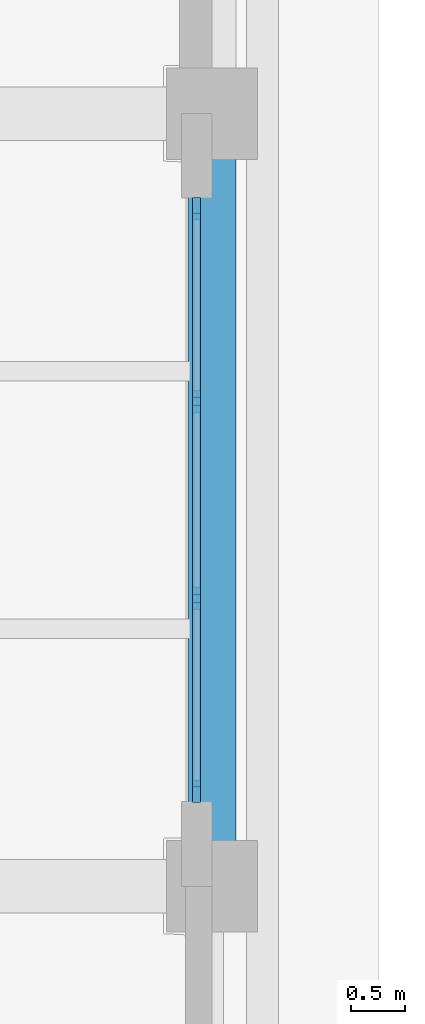
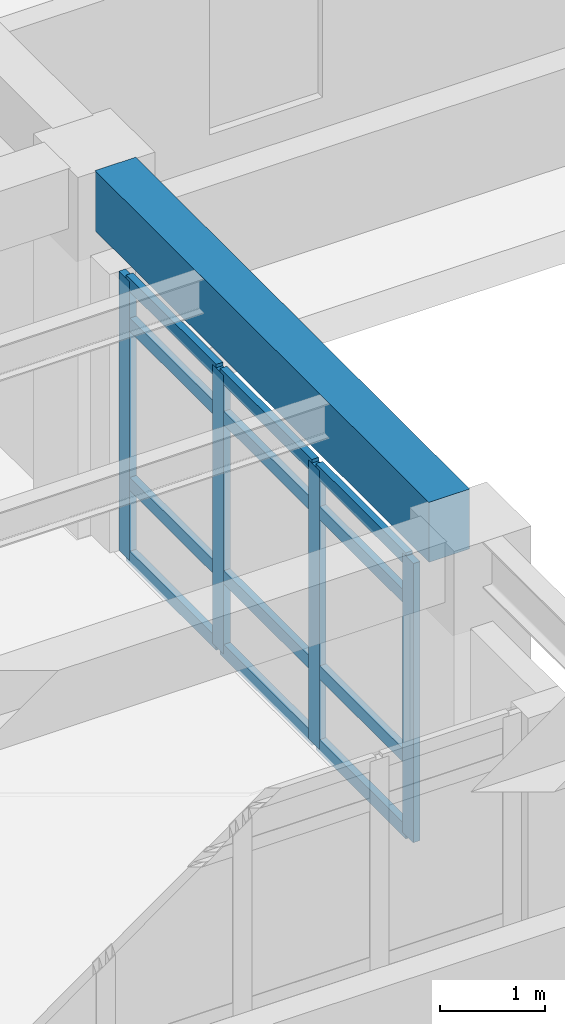
# One storey, part 42 of 98: 16 members, 1 beam, 1 element without a shape of its own.
"""IFC4 building model written with IfcOpenShell, lengths in metres."""

from ifc_helpers import new_model, si_unit, direction, frame, origin, origin_2d, place, context, subcontext, project, spatial, rectangle, extrude, material, layer, layer_set, material_profile, profile_set, type_object, element, aggregate, save


model = new_model("IFC4")

# Units and contexts
model_context = context("Model", 3, precision=1e-05, world=origin(), true_north=direction((0.0, 1.0)))
body_context = subcontext(model_context, "Body", "Model", "MODEL_VIEW")
ifc_project = project(units=[si_unit("LENGTHUNIT", "METRE"), si_unit("AREAUNIT", "SQUARE_METRE"), si_unit("VOLUMEUNIT", "CUBIC_METRE"), si_unit("PLANEANGLEUNIT", "RADIAN"), si_unit("MASSUNIT", "GRAM", prefix="KILO")], contexts=[model_context])

# Site, building, storey
site_placement = place(None, origin())
site = spatial("IfcSite", under=ifc_project, at=site_placement, CompositionType="ELEMENT")
building_placement = place(site_placement, origin())
building = spatial("IfcBuilding", under=site, at=building_placement, Name="Solenvale Faculty of Natural Sciences", CompositionType="ELEMENT")
storey_placement = place(building_placement, frame((0.0, 0.0, 9.0)))
storey = spatial("IfcBuildingStorey", under=building, at=storey_placement, Name="L02", CompositionType="ELEMENT", Elevation=9.0)

# Beam
ifc_material_1 = material(Name="Concrete 40 MPa", Category="concrete")
ifc_material_profile_1 = material_profile(ifc_material_1, rectangle(XDim=0.449951171875, YDim=0.699951171875, at=origin_2d()), Name="RC-BM-450x700")
ifc_profile_set_1 = profile_set([ifc_material_profile_1], Name="Concrete 40 MPa")
beam_type = type_object("IfcBeamType", Name="BM-RC-450x700", PredefinedType="BEAM", material=ifc_profile_set_1)
beam_placement = place(storey_placement, frame((115.199951171875, 22.0048828125, 3.8701171875), z_axis=(0.0, 1.0, 0.0), x_axis=(-1.0, 0.0, 0.0)))
element("IfcBeam", 1, at=beam_placement, inside=storey, type_object=beam_type, Name="L02 Y-Girder X115.2 (21.6..28.8)", PredefinedType="BEAM", context=body_context, shape_type="SweptSolid", body=[
    extrude(rectangle(XDim=0.449951171875, YDim=0.699951171875, at=origin_2d()), origin(), (0.0, 0.0, 1.0), 6.39013671875),
])

# Curtain wall, members
ifc_material_2 = material(Name="Anodised bronze aluminium", Category="aluminium")
ifc_layer = layer(ifc_material_2, 0.179931640625)
ifc_layer_set = layer_set([ifc_layer], Name="Anodised bronze aluminium")
curtain_wall_type = type_object("IfcCurtainWallType", Name="CW-TWR-MOD", PredefinedType="USERDEFINED", material=ifc_layer_set)
curtain_wall_placement = place(storey_placement, origin())
curtain_wall = element("IfcCurtainWall", 2, at=curtain_wall_placement, inside=storey, type_object=curtain_wall_type, Name="L02 Curtain Wall CW-L02-P1-E1-B2", ObjectType="UNITISED CURTAIN WALL", PredefinedType="USERDEFINED")
ifc_material_profile_2 = material_profile(ifc_material_2, rectangle(XDim=0.074951171875, YDim=0.2099609375, at=origin_2d()), Name="ALU-MUL-75x210")
ifc_profile_set_2 = profile_set([ifc_material_profile_2], Name="Anodised bronze aluminium")
member_type_1 = type_object("IfcMemberType", Name="CWM-ALU-75x210", PredefinedType="MULLION", material=ifc_profile_set_2)
member_1_placement = place(storey_placement, frame((115.0576171875, 22.487548828125, 0.0), z_axis=(0.0, 0.0, 1.0), x_axis=(-1.0, 0.0, 0.0)))
member_1 = element("IfcMember", 3, at=member_1_placement, type_object=member_type_1, Name="CW-04 mullion 1", PredefinedType="MULLION", context=body_context, shape_type="SweptSolid", body=[
    extrude(rectangle(XDim=0.074951171875, YDim=0.2099609375, at=origin_2d()), origin(), (0.0, 0.0, 1.0), 3.260009765625),
])
member_2_placement = place(storey_placement, frame((115.0576171875, 24.283447265625, 0.0), z_axis=(0.0, 0.0, 1.0), x_axis=(-1.0, 0.0, 0.0)))
member_2 = element("IfcMember", 4, at=member_2_placement, type_object=member_type_1, Name="CW-04 mullion 2", PredefinedType="MULLION", context=body_context, shape_type="SweptSolid", body=[
    extrude(rectangle(XDim=0.074951171875, YDim=0.2099609375, at=origin_2d()), origin(), (0.0, 0.0, 1.0), 3.260009765625),
])
member_3_placement = place(storey_placement, frame((115.0576171875, 26.11669921875, 0.0), z_axis=(0.0, 0.0, 1.0), x_axis=(-1.0, 0.0, 0.0)))
member_3 = element("IfcMember", 5, at=member_3_placement, type_object=member_type_1, Name="CW-04 mullion 3", PredefinedType="MULLION", context=body_context, shape_type="SweptSolid", body=[
    extrude(rectangle(XDim=0.074951171875, YDim=0.2099609375, at=origin_2d()), origin(), (0.0, 0.0, 1.0), 3.260009765625),
])
member_4_placement = place(storey_placement, frame((115.0576171875, 27.91259765625, 0.0), z_axis=(0.0, 0.0, 1.0), x_axis=(-1.0, 0.0, 0.0)))
member_4 = element("IfcMember", 6, at=member_4_placement, type_object=member_type_1, Name="CW-04 mullion 4", PredefinedType="MULLION", context=body_context, shape_type="SweptSolid", body=[
    extrude(rectangle(XDim=0.074951171875, YDim=0.2099609375, at=origin_2d()), origin(), (0.0, 0.0, 1.0), 3.260009765625),
])
ifc_material_profile_3 = material_profile(ifc_material_2, rectangle(XDim=0.074951171875, YDim=0.155029296875, at=origin_2d()), Name="ALU-TRN-75x155")
ifc_profile_set_3 = profile_set([ifc_material_profile_3], Name="Anodised bronze aluminium")
member_type_2 = type_object("IfcMemberType", Name="CWT-ALU-75x155", PredefinedType="USERDEFINED", material=ifc_profile_set_3)
member_5_placement = place(storey_placement, frame((115.0576171875, 22.52490234375, 0.03759765625), z_axis=(0.0, 1.0, 0.0), x_axis=(-1.0, 0.0, 0.0)))
member_5 = element("IfcMember", 7, at=member_5_placement, type_object=member_type_2, Name="CW-04 transom 1.1", ObjectType="TRANSOM", PredefinedType="USERDEFINED", context=body_context, shape_type="SweptSolid", body=[
    extrude(rectangle(XDim=0.074951171875, YDim=0.155029296875, at=origin_2d()), origin(), (0.0, 0.0, 1.0), 1.720947265625),
])
member_6_placement = place(storey_placement, frame((115.0576171875, 22.52490234375, 0.89990234375), z_axis=(0.0, 1.0, 0.0), x_axis=(-1.0, 0.0, 0.0)))
member_6 = element("IfcMember", 8, at=member_6_placement, type_object=member_type_2, Name="CW-04 transom 1.2", ObjectType="TRANSOM", PredefinedType="USERDEFINED", context=body_context, shape_type="SweptSolid", body=[
    extrude(rectangle(XDim=0.074951171875, YDim=0.155029296875, at=origin_2d()), origin(), (0.0, 0.0, 1.0), 1.720947265625),
])
member_7_placement = place(storey_placement, frame((115.0576171875, 22.52490234375, 2.760009765625), z_axis=(0.0, 1.0, 0.0), x_axis=(-1.0, 0.0, 0.0)))
member_7 = element("IfcMember", 9, at=member_7_placement, type_object=member_type_2, Name="CW-04 transom 1.3", ObjectType="TRANSOM", PredefinedType="USERDEFINED", context=body_context, shape_type="SweptSolid", body=[
    extrude(rectangle(XDim=0.074951171875, YDim=0.155029296875, at=origin_2d()), origin(), (0.0, 0.0, 1.0), 1.720947265625),
])
member_8_placement = place(storey_placement, frame((115.0576171875, 22.52490234375, 3.222412109375), z_axis=(0.0, 1.0, 0.0), x_axis=(-1.0, 0.0, 0.0)))
member_8 = element("IfcMember", 10, at=member_8_placement, type_object=member_type_2, Name="CW-04 transom 1.4", ObjectType="TRANSOM", PredefinedType="USERDEFINED", context=body_context, shape_type="SweptSolid", body=[
    extrude(rectangle(XDim=0.074951171875, YDim=0.155029296875, at=origin_2d()), origin(), (0.0, 0.0, 1.0), 1.720947265625),
])
member_9_placement = place(storey_placement, frame((115.0576171875, 24.32080078125, 0.03759765625), z_axis=(0.0, 1.0, 0.0), x_axis=(-1.0, 0.0, 0.0)))
member_9 = element("IfcMember", 11, at=member_9_placement, type_object=member_type_2, Name="CW-04 transom 2.1", ObjectType="TRANSOM", PredefinedType="USERDEFINED", context=body_context, shape_type="SweptSolid", body=[
    extrude(rectangle(XDim=0.074951171875, YDim=0.155029296875, at=origin_2d()), origin(), (0.0, 0.0, 1.0), 1.75830078125),
])
member_10_placement = place(storey_placement, frame((115.0576171875, 24.32080078125, 0.89990234375), z_axis=(0.0, 1.0, 0.0), x_axis=(-1.0, 0.0, 0.0)))
member_10 = element("IfcMember", 12, at=member_10_placement, type_object=member_type_2, Name="CW-04 transom 2.2", ObjectType="TRANSOM", PredefinedType="USERDEFINED", context=body_context, shape_type="SweptSolid", body=[
    extrude(rectangle(XDim=0.074951171875, YDim=0.155029296875, at=origin_2d()), origin(), (0.0, 0.0, 1.0), 1.75830078125),
])
member_11_placement = place(storey_placement, frame((115.0576171875, 24.32080078125, 2.760009765625), z_axis=(0.0, 1.0, 0.0), x_axis=(-1.0, 0.0, 0.0)))
member_11 = element("IfcMember", 13, at=member_11_placement, type_object=member_type_2, Name="CW-04 transom 2.3", ObjectType="TRANSOM", PredefinedType="USERDEFINED", context=body_context, shape_type="SweptSolid", body=[
    extrude(rectangle(XDim=0.074951171875, YDim=0.155029296875, at=origin_2d()), origin(), (0.0, 0.0, 1.0), 1.75830078125),
])
member_12_placement = place(storey_placement, frame((115.0576171875, 24.32080078125, 3.222412109375), z_axis=(0.0, 1.0, 0.0), x_axis=(-1.0, 0.0, 0.0)))
member_12 = element("IfcMember", 14, at=member_12_placement, type_object=member_type_2, Name="CW-04 transom 2.4", ObjectType="TRANSOM", PredefinedType="USERDEFINED", context=body_context, shape_type="SweptSolid", body=[
    extrude(rectangle(XDim=0.074951171875, YDim=0.155029296875, at=origin_2d()), origin(), (0.0, 0.0, 1.0), 1.75830078125),
])
member_13_placement = place(storey_placement, frame((115.0576171875, 26.154052734375, 0.03759765625), z_axis=(0.0, 1.0, 0.0), x_axis=(-1.0, 0.0, 0.0)))
member_13 = element("IfcMember", 15, at=member_13_placement, type_object=member_type_2, Name="CW-04 transom 3.1", ObjectType="TRANSOM", PredefinedType="USERDEFINED", context=body_context, shape_type="SweptSolid", body=[
    extrude(rectangle(XDim=0.074951171875, YDim=0.155029296875, at=origin_2d()), origin(), (0.0, 0.0, 1.0), 1.720947265625),
])
member_14_placement = place(storey_placement, frame((115.0576171875, 26.154052734375, 0.89990234375), z_axis=(0.0, 1.0, 0.0), x_axis=(-1.0, 0.0, 0.0)))
member_14 = element("IfcMember", 16, at=member_14_placement, type_object=member_type_2, Name="CW-04 transom 3.2", ObjectType="TRANSOM", PredefinedType="USERDEFINED", context=body_context, shape_type="SweptSolid", body=[
    extrude(rectangle(XDim=0.074951171875, YDim=0.155029296875, at=origin_2d()), origin(), (0.0, 0.0, 1.0), 1.720947265625),
])
member_15_placement = place(storey_placement, frame((115.0576171875, 26.154052734375, 2.760009765625), z_axis=(0.0, 1.0, 0.0), x_axis=(-1.0, 0.0, 0.0)))
member_15 = element("IfcMember", 17, at=member_15_placement, type_object=member_type_2, Name="CW-04 transom 3.3", ObjectType="TRANSOM", PredefinedType="USERDEFINED", context=body_context, shape_type="SweptSolid", body=[
    extrude(rectangle(XDim=0.074951171875, YDim=0.155029296875, at=origin_2d()), origin(), (0.0, 0.0, 1.0), 1.720947265625),
])
member_16_placement = place(storey_placement, frame((115.0576171875, 26.154052734375, 3.222412109375), z_axis=(0.0, 1.0, 0.0), x_axis=(-1.0, 0.0, 0.0)))
member_16 = element("IfcMember", 18, at=member_16_placement, type_object=member_type_2, Name="CW-04 transom 3.4", ObjectType="TRANSOM", PredefinedType="USERDEFINED", context=body_context, shape_type="SweptSolid", body=[
    extrude(rectangle(XDim=0.074951171875, YDim=0.155029296875, at=origin_2d()), origin(), (0.0, 0.0, 1.0), 1.720947265625),
])
aggregate(curtain_wall, [member_1, member_2, member_3, member_4, member_5, member_6, member_7, member_8, member_9, member_10, member_11, member_12, member_13, member_14, member_15, member_16])

save(model, "model.ifc")
